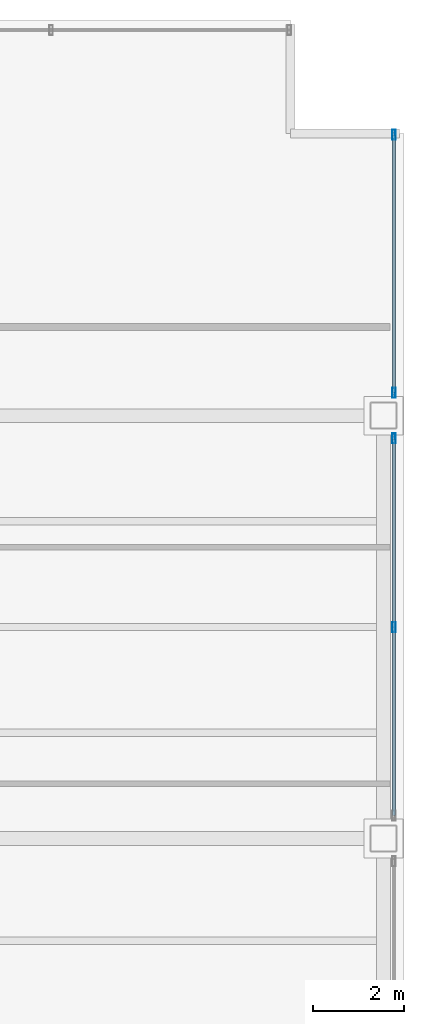
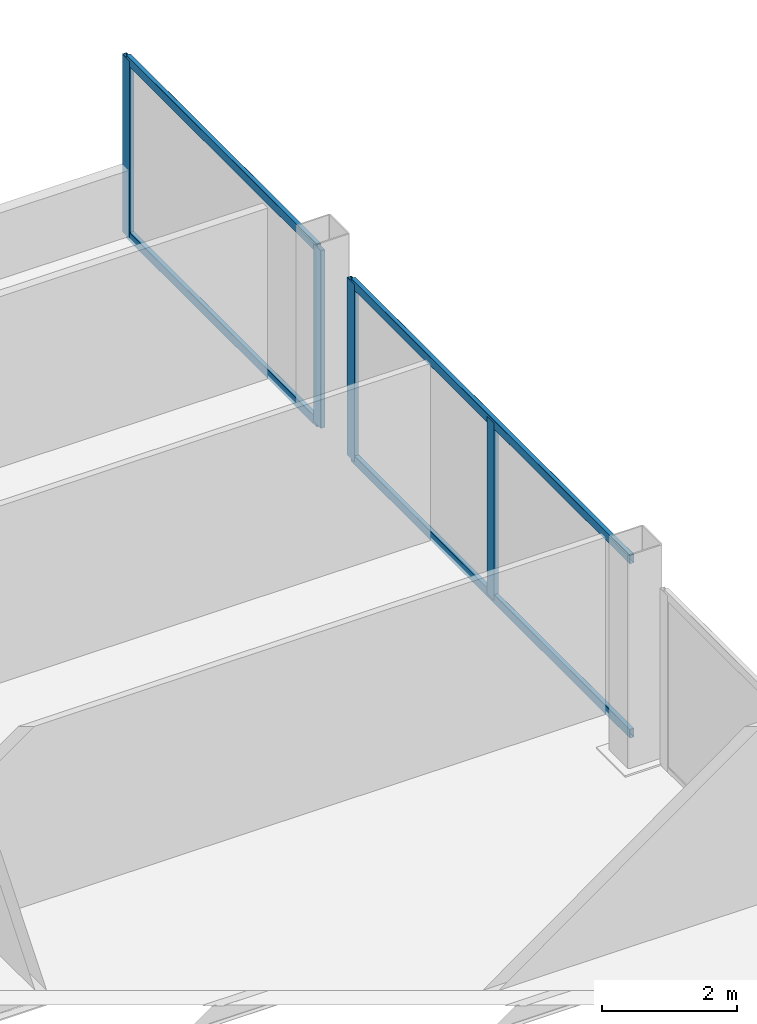
# One storey, part 12 of 20: 8 members, 2 elements without a shape of their own.
"""IFC4 building model written with IfcOpenShell, lengths in metres."""

from ifc_helpers import new_model, si_unit, direction, frame, origin, origin_2d, place, context, subcontext, project, spatial, hollow_rectangle, extrude, material, material_profile, profile_set, type_object, element, aggregate, save


model = new_model("IFC4")

# Units and contexts
model_context = context("Model", 3, precision=1e-05, world=origin(), true_north=direction((0.0, 1.0)))
body_context = subcontext(model_context, "Body", "Model", "MODEL_VIEW")
ifc_project = project(units=[si_unit("LENGTHUNIT", "METRE"), si_unit("AREAUNIT", "SQUARE_METRE"), si_unit("VOLUMEUNIT", "CUBIC_METRE"), si_unit("PLANEANGLEUNIT", "RADIAN"), si_unit("MASSUNIT", "GRAM", prefix="KILO")], contexts=[model_context])

# Site, building, storey
site_placement = place(None, origin())
site = spatial("IfcSite", under=ifc_project, at=site_placement, CompositionType="ELEMENT")
building_placement = place(site_placement, origin())
building = spatial("IfcBuilding", under=site, at=building_placement, Name="Noeulbin Bourse Tower", CompositionType="ELEMENT")
storey_placement = place(building_placement, frame((0.0, 0.0, 73.300048828125)))
storey = spatial("IfcBuildingStorey", under=building, at=storey_placement, Name="L18", CompositionType="ELEMENT", Elevation=73.300048828125)

# Curtain wall, members
ifc_material_1 = material(Name="Dark Solar-Control Double Glazing", Category="glass")
curtain_wall_type = type_object("IfcCurtainWallType", Name="CW-SYS-2", PredefinedType="NOTDEFINED", material=ifc_material_1)
curtain_wall_1_placement = place(storey_placement, origin())
curtain_wall_1 = element("IfcCurtainWall", 1, at=curtain_wall_1_placement, inside=storey, type_object=curtain_wall_type, Name="Unitised Curtain Wall CW-L18-E-S3", PredefinedType="NOTDEFINED")
ifc_material_2 = material(Name="Anodised Aluminium 6063-T6", Category="aluminium")
ifc_material_profile_1 = material_profile(ifc_material_2, hollow_rectangle(XDim=0.074951171875, YDim=0.219970703125, WallThickness=0.0048828125, InnerFilletRadius=0.00244140625, OuterFilletRadius=0.0048828125, at=origin_2d()), Name="ALU-MULL-75x220x5", Category="LoadBearing")
ifc_profile_set_1 = profile_set([ifc_material_profile_1], Name="Anodised Aluminium 6063-T6")
member_type_1 = type_object("IfcMemberType", Name="CW-SYS-2-MUL", PredefinedType="MULLION", material=ifc_profile_set_1)
member_1_placement = place(storey_placement, frame((57.280029296875, 33.64990234375, -0.02001953125), z_axis=(0.0, 0.0, 1.0), x_axis=(1.0, 0.0, 0.0)))
member_1 = element("IfcMember", 2, at=member_1_placement, type_object=member_type_1, Name="Curtain Wall Mullion CW-L18-E-S3-M01", PredefinedType="MULLION", context=body_context, shape_type="SweptSolid", body=[
    extrude(hollow_rectangle(XDim=0.074951171875, YDim=0.219970703125, WallThickness=0.0048828125, InnerFilletRadius=0.00244140625, OuterFilletRadius=0.0048828125, at=origin_2d()), origin(), (0.0, 0.0, 1.0), 3.219970703125),
])
member_2_placement = place(storey_placement, frame((57.280029296875, 37.800048828125, -0.02001953125), z_axis=(0.0, 0.0, 1.0), x_axis=(1.0, 0.0, 0.0)))
member_2 = element("IfcMember", 3, at=member_2_placement, type_object=member_type_1, Name="Curtain Wall Mullion CW-L18-E-S3-M02", PredefinedType="MULLION", context=body_context, shape_type="SweptSolid", body=[
    extrude(hollow_rectangle(XDim=0.074951171875, YDim=0.219970703125, WallThickness=0.0048828125, InnerFilletRadius=0.00244140625, OuterFilletRadius=0.0048828125, at=origin_2d()), origin(), (0.0, 0.0, 1.0), 3.219970703125),
])

curtain_wall_2_placement = place(storey_placement, origin())
curtain_wall_2 = element("IfcCurtainWall", 4, at=curtain_wall_2_placement, inside=storey, type_object=curtain_wall_type, Name="Unitised Curtain Wall CW-L18-E-S4", PredefinedType="NOTDEFINED")
member_3_placement = place(storey_placement, frame((57.280029296875, 38.800048828125, -0.02001953125), z_axis=(0.0, 0.0, 1.0), x_axis=(1.0, 0.0, 0.0)))
member_3 = element("IfcMember", 5, at=member_3_placement, type_object=member_type_1, Name="Curtain Wall Mullion CW-L18-E-S4-M00", PredefinedType="MULLION", context=body_context, shape_type="SweptSolid", body=[
    extrude(hollow_rectangle(XDim=0.074951171875, YDim=0.219970703125, WallThickness=0.0048828125, InnerFilletRadius=0.00244140625, OuterFilletRadius=0.0048828125, at=origin_2d()), origin(), (0.0, 0.0, 1.0), 3.219970703125),
])
member_4_placement = place(storey_placement, frame((57.280029296875, 44.47998046875, -0.02001953125), z_axis=(0.0, 0.0, 1.0), x_axis=(1.0, 0.0, 0.0)))
member_4 = element("IfcMember", 6, at=member_4_placement, type_object=member_type_1, Name="Curtain Wall Mullion CW-L18-E-S4-M01", PredefinedType="MULLION", context=body_context, shape_type="SweptSolid", body=[
    extrude(hollow_rectangle(XDim=0.074951171875, YDim=0.219970703125, WallThickness=0.0048828125, InnerFilletRadius=0.00244140625, OuterFilletRadius=0.0048828125, at=origin_2d()), origin(), (0.0, 0.0, 1.0), 3.219970703125),
])

# Member
ifc_material_profile_2 = material_profile(ifc_material_2, hollow_rectangle(XDim=0.074951171875, YDim=0.159912109375, WallThickness=0.0048828125, InnerFilletRadius=0.00244140625, OuterFilletRadius=0.0048828125, at=origin_2d()), Name="ALU-TRAN-75x160x5", Category="LoadBearing")
ifc_profile_set_2 = profile_set([ifc_material_profile_2], Name="Anodised Aluminium 6063-T6")
member_type_2 = type_object("IfcMemberType", Name="CW-SYS-2-TRN", PredefinedType="USERDEFINED", material=ifc_profile_set_2)
member_5_placement = place(storey_placement, frame((57.280029296875, 29.510009765625, 0.010009765625), z_axis=(0.0, 1.0, 0.0), x_axis=(-1.0, 0.0, 0.0)))
member_5 = element("IfcMember", 7, at=member_5_placement, type_object=member_type_2, Name="Curtain Wall Transom CW-L18-E-S3-T00", ObjectType="TRANSOM", PredefinedType="USERDEFINED", context=body_context, shape_type="SweptSolid", body=[
    extrude(hollow_rectangle(XDim=0.074951171875, YDim=0.159912109375, WallThickness=0.0048828125, InnerFilletRadius=0.00244140625, OuterFilletRadius=0.0048828125, at=origin_2d()), origin(), (0.0, 0.0, 1.0), 8.280029296875),
])

member_6_placement = place(storey_placement, frame((57.280029296875, 29.510009765625, 3.169921875), z_axis=(0.0, 1.0, 0.0), x_axis=(-1.0, 0.0, 0.0)))
member_6 = element("IfcMember", 8, at=member_6_placement, type_object=member_type_2, Name="Curtain Wall Transom CW-L18-E-S3-T01", ObjectType="TRANSOM", PredefinedType="USERDEFINED", context=body_context, shape_type="SweptSolid", body=[
    extrude(hollow_rectangle(XDim=0.074951171875, YDim=0.159912109375, WallThickness=0.0048828125, InnerFilletRadius=0.00244140625, OuterFilletRadius=0.0048828125, at=origin_2d()), origin(), (0.0, 0.0, 1.0), 8.280029296875),
])

aggregate(curtain_wall_1, [member_1, member_2, member_5, member_6])

member_7_placement = place(storey_placement, frame((57.280029296875, 38.81005859375, 0.010009765625), z_axis=(0.0, 1.0, 0.0), x_axis=(-1.0, 0.0, 0.0)))
member_7 = element("IfcMember", 9, at=member_7_placement, type_object=member_type_2, Name="Curtain Wall Transom CW-L18-E-S4-T00", ObjectType="TRANSOM", PredefinedType="USERDEFINED", context=body_context, shape_type="SweptSolid", body=[
    extrude(hollow_rectangle(XDim=0.074951171875, YDim=0.159912109375, WallThickness=0.0048828125, InnerFilletRadius=0.00244140625, OuterFilletRadius=0.0048828125, at=origin_2d()), origin(), (0.0, 0.0, 1.0), 5.659912109375),
])

member_8_placement = place(storey_placement, frame((57.280029296875, 38.81005859375, 3.169921875), z_axis=(0.0, 1.0, 0.0), x_axis=(-1.0, 0.0, 0.0)))
member_8 = element("IfcMember", 10, at=member_8_placement, type_object=member_type_2, Name="Curtain Wall Transom CW-L18-E-S4-T01", ObjectType="TRANSOM", PredefinedType="USERDEFINED", context=body_context, shape_type="SweptSolid", body=[
    extrude(hollow_rectangle(XDim=0.074951171875, YDim=0.159912109375, WallThickness=0.0048828125, InnerFilletRadius=0.00244140625, OuterFilletRadius=0.0048828125, at=origin_2d()), origin(), (0.0, 0.0, 1.0), 5.659912109375),
])

aggregate(curtain_wall_2, [member_3, member_4, member_7, member_8])

save(model, "model.ifc")
